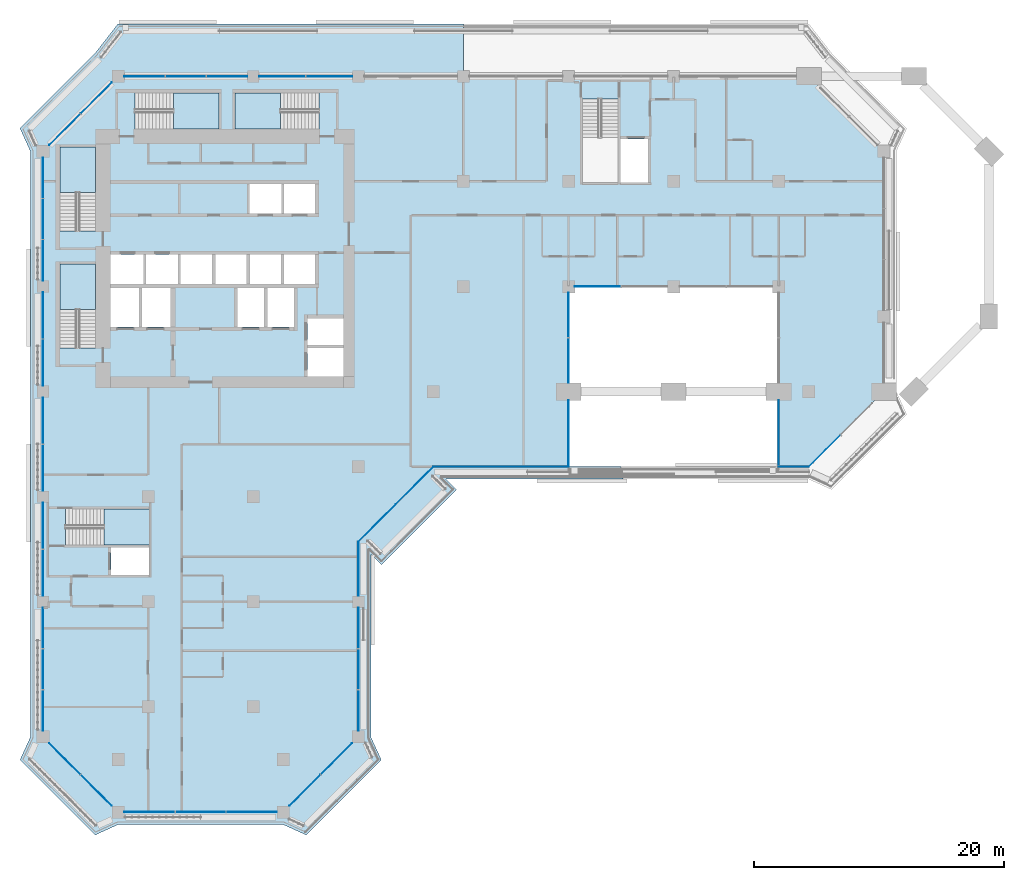
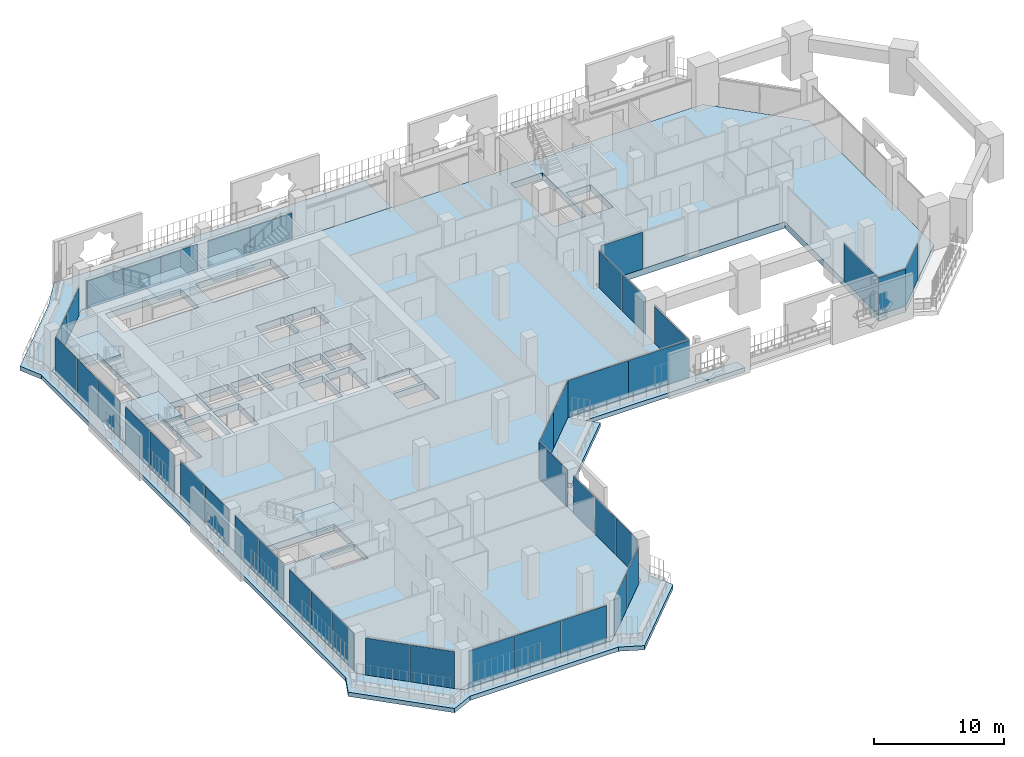
# One storey, part 9 of 23: 41 plates, 7 slabs, 19 elements without a shape of their own.
"""IFC4 building model written with IfcOpenShell, lengths in metres."""

import ifcopenshell
import ifcopenshell.guid

model = None  # the IFC model being written
_history = None  # IfcOwnerHistory: only IFC2X3 demands one
_inside = {}  # id of a spatial element -> (the spatial element, [elements in it])
_under = {}  # id of a project, library or spatial element -> (it, [spatial elements below it])
_declared = {}  # id of a project -> (the project, [libraries it declares])
_typed = {}  # id of a type object -> (the type object, [elements of that type])
_made_of = {}  # id of a material, layer set ... -> (it, [elements and type objects made of it])


def new_model(schema):
    """Start an empty IFC model of exactly this schema.

    Asked for "IFC4X3", IfcOpenShell would pick the latest addendum, in which some entities
    have other attributes; the version numbers below select the first issue.
    IFC2X3 requires an IfcOwnerHistory on every rooted entity: one is made here for all.
    """
    global model, _history
    if schema == "IFC4X3":
        model = ifcopenshell.file(schema_version=(4, 3, 0, 0))
    else:
        model = ifcopenshell.file(schema=schema)
    _inside.clear()
    _under.clear()
    _declared.clear()
    _typed.clear()
    _made_of.clear()
    _history = None
    if model.schema == "IFC2X3":
        org = make("IfcOrganization", Name="unknown")
        user = make(
            "IfcPersonAndOrganization",
            ThePerson=make("IfcPerson", FamilyName="unknown"),
            TheOrganization=org,
        )
        app = make(
            "IfcApplication",
            ApplicationDeveloper=org,
            Version="unknown",
            ApplicationFullName="unknown",
            ApplicationIdentifier="unknown",
        )
        _history = make(
            "IfcOwnerHistory",
            OwningUser=user,
            OwningApplication=app,
            ChangeAction="ADDED",
            CreationDate=0,
        )
    return model


def make(cls, **values):
    """One entity of the class cls with the attributes given. An attribute that is None is left unset."""
    return model.create_entity(
        cls, **{name: value for name, value in values.items() if value is not None}
    )


def rooted(cls, **values):
    """An entity with a GlobalId (a new one), such as an element, a storey or a relation."""
    return make(cls, GlobalId=ifcopenshell.guid.new(), OwnerHistory=_history, **values)


def si_unit(unit_type, name, prefix=None):
    """IfcSIUnit, for example si_unit("LENGTHUNIT", "METRE", prefix="MILLI")."""
    return make("IfcSIUnit", UnitType=unit_type, Prefix=prefix, Name=name)


def assignment(units):
    """IfcUnitAssignment: the units of a project."""
    return None if units is None else make("IfcUnitAssignment", Units=units)


def point(xyz):
    """IfcCartesianPoint."""
    return None if xyz is None else make("IfcCartesianPoint", Coordinates=xyz)


def direction(xyz):
    """IfcDirection."""
    return None if xyz is None else make("IfcDirection", DirectionRatios=xyz)


def frame(location, z_axis=None, x_axis=None):
    """IfcAxis2Placement3D, a coordinate frame: its origin and axes. An axis left out is left unset."""
    return make(
        "IfcAxis2Placement3D",
        Location=point(location),
        Axis=direction(z_axis),
        RefDirection=direction(x_axis),
    )


def frame_2d(location, x_axis=None):
    """IfcAxis2Placement2D, a coordinate frame in the plane: its origin and x axis."""
    return make(
        "IfcAxis2Placement2D", Location=point(location), RefDirection=direction(x_axis)
    )


def origin():
    """The frame at (0, 0, 0) with its axes left unset."""
    return frame((0.0, 0.0, 0.0))


def origin_2d():
    """The frame at (0, 0) in the plane with its x axis left unset."""
    return frame_2d((0.0, 0.0))


def place(relative_to, where):
    """IfcLocalPlacement: puts the frame where relative to a parent placement (None: the world)."""
    return make(
        "IfcLocalPlacement", PlacementRelTo=relative_to, RelativePlacement=where
    )


def context(
    kind, dimensions, precision=None, world=None, true_north=None, identifier=None
):
    """IfcGeometricRepresentationContext, for example the 3D "Model" context."""
    return make(
        "IfcGeometricRepresentationContext",
        ContextIdentifier=identifier,
        ContextType=kind,
        CoordinateSpaceDimension=dimensions,
        Precision=precision,
        WorldCoordinateSystem=world,
        TrueNorth=true_north,
    )


def subcontext(parent, identifier, kind, view, scale=None):
    """IfcGeometricRepresentationSubContext, for example "Body" below "Model"."""
    return make(
        "IfcGeometricRepresentationSubContext",
        ContextIdentifier=identifier,
        ContextType=kind,
        ParentContext=parent,
        TargetScale=scale,
        TargetView=view,
    )


def project(units=None, contexts=None):
    """IfcProject with its units and contexts."""
    return rooted(
        "IfcProject",
        Name="project",
        RepresentationContexts=contexts,
        UnitsInContext=assignment(units),
    )


def spatial(cls, under=None, at=None, **own):
    """A site, building, storey or space (cls), placed at a placement, below another one or the project."""
    s = rooted(cls, ObjectPlacement=at, **own)
    if under is not None:
        _under.setdefault(under.id(), (under, []))[1].append(s)
    return s


def polyline(points):
    """IfcPolyline through the points."""
    return make("IfcPolyline", Points=[point(p) for p in points])


def profile(cls, at=None, kind="AREA", **sizes):
    """A parametric profile (cls). Its sizes go by their IFC names, for example OverallWidth=200.0."""
    return make(cls, ProfileType=kind, Position=at, **sizes)


def rectangle(**sizes):
    """IfcRectangleProfileDef."""
    return profile("IfcRectangleProfileDef", **sizes)


def outline(outer, holes=None, kind="AREA"):
    """IfcArbitraryClosedProfileDef: a profile drawn as a closed curve; with holes, ...WithVoids."""
    if holes is None:
        return make("IfcArbitraryClosedProfileDef", ProfileType=kind, OuterCurve=outer)
    return make(
        "IfcArbitraryProfileDefWithVoids",
        ProfileType=kind,
        OuterCurve=outer,
        InnerCurves=holes,
    )


def extrude(swept, where, along, depth):
    """IfcExtrudedAreaSolid: the profile swept, set in the frame where, extruded along a direction by depth."""
    return make(
        "IfcExtrudedAreaSolid",
        SweptArea=swept,
        Position=where,
        ExtrudedDirection=direction(along),
        Depth=depth,
    )


def shape(context_of_items, identifier, shape_type, items):
    """IfcShapeRepresentation: the items that make up one representation, for example the "Body"."""
    return make(
        "IfcShapeRepresentation",
        ContextOfItems=context_of_items,
        RepresentationIdentifier=identifier,
        RepresentationType=shape_type,
        Items=items,
    )


def material(Name=None, Category=None):
    """IfcMaterial."""
    return make("IfcMaterial", Name=Name, Category=Category)


def layer(
    of_material, thickness, ventilated=None, Name=None, Category=None, Priority=None
):
    """IfcMaterialLayer: one layer of a wall or slab, of a material (None: an air gap)."""
    return make(
        "IfcMaterialLayer",
        Material=of_material,
        LayerThickness=thickness,
        IsVentilated=ventilated,
        Name=Name,
        Category=Category,
        Priority=Priority,
    )


def layer_set(layers, Name=None):
    """IfcMaterialLayerSet."""
    return make("IfcMaterialLayerSet", MaterialLayers=layers, LayerSetName=Name)


def made_of(thing, what):
    """Note that an element or type object is made of a material, layer set ...; save() writes the relation."""
    if what is not None:
        _made_of.setdefault(what.id(), (what, []))[1].append(thing)
    return thing


def type_object(cls, material=None, **own):
    """A type object (cls), such as IfcWallType, which elements share."""
    return made_of(rooted(cls, **own), material)


def element(
    cls,
    number,
    at=None,
    inside=None,
    cuts=None,
    type_object=None,
    material=None,
    context=None,
    identifier="Body",
    shape_type=None,
    held_by="IfcProductDefinitionShape",
    body=None,
    shapes=None,
    **own,
):
    """One element of the class cls, such as IfcWall. Its Tag is "e" and its number.

    at: its placement. inside: the storey or other place that contains it. cuts: it is an
    opening in that element (IfcRelVoidsElement). A single representation is given by context,
    identifier, shape_type and body (its items); several are given by shapes. held_by: the class
    of the entity that holds the representations. save() writes the other relations.
    """
    e = rooted(cls, Tag="e%d" % number, ObjectPlacement=at, **own)
    if body is not None:
        shapes = [shape(context, identifier, shape_type, body)]
    if shapes is not None:
        e.Representation = make(held_by, Representations=shapes)
    if inside is not None:
        _inside.setdefault(inside.id(), (inside, []))[1].append(e)
    if cuts is not None:
        rooted(
            "IfcRelVoidsElement", RelatingBuildingElement=cuts, RelatedOpeningElement=e
        )
    if type_object is not None:
        _typed.setdefault(type_object.id(), (type_object, []))[1].append(e)
    return made_of(e, material)


def aggregate(whole, parts):
    """IfcRelAggregates: a whole, such as a stair, and the parts it consists of."""
    return rooted("IfcRelAggregates", RelatingObject=whole, RelatedObjects=parts)


def save(model, path):
    """Write the relations noted so far, then the file.

    IfcRelAggregates (storeys below a building ...), IfcRelContainedInSpatialStructure (elements
    in a storey), IfcRelDefinesByType, IfcRelAssociatesMaterial and IfcRelDeclares: one each for
    every whole, place, type object, material and project.
    """
    for whole, parts in _under.values():
        aggregate(whole, parts)
    for where, things in _inside.values():
        rooted(
            "IfcRelContainedInSpatialStructure",
            RelatedElements=things,
            RelatingStructure=where,
        )
    for kind, things in _typed.values():
        rooted("IfcRelDefinesByType", RelatedObjects=things, RelatingType=kind)
    for what, things in _made_of.values():
        rooted("IfcRelAssociatesMaterial", RelatedObjects=things, RelatingMaterial=what)
    for by, libraries in _declared.values():
        rooted("IfcRelDeclares", RelatingContext=by, RelatedDefinitions=libraries)
    model.write(path)


model = new_model("IFC4")

# Units and contexts
model_context = context("Model", 3, precision=1e-05, world=origin(), true_north=direction((0.0, 1.0)))
body_context = subcontext(model_context, "Body", "Model", "MODEL_VIEW")
ifc_project = project(units=[si_unit("LENGTHUNIT", "METRE"), si_unit("AREAUNIT", "SQUARE_METRE"), si_unit("VOLUMEUNIT", "CUBIC_METRE"), si_unit("PLANEANGLEUNIT", "RADIAN"), si_unit("MASSUNIT", "GRAM", prefix="KILO")], contexts=[model_context])

# Site, building, storey
site_placement = place(None, origin())
site = spatial("IfcSite", under=ifc_project, at=site_placement, CompositionType="ELEMENT")
building_placement = place(site_placement, origin())
building = spatial("IfcBuilding", under=site, at=building_placement, Name="Kawkab Arch Medical Tower", CompositionType="ELEMENT")
storey_placement = place(building_placement, frame((0.0, 0.0, 166.800048828125)))
storey = spatial("IfcBuildingStorey", under=building, at=storey_placement, Name="L38", CompositionType="ELEMENT", Elevation=166.800048828125)

# Curtain wall, plates
ifc_material_1 = material(Name="Bronze anodised aluminium curtain wall frame", Category="aluminium")
ifc_layer_1 = layer(ifc_material_1, 0.159912109375)
ifc_layer_set_1 = layer_set([ifc_layer_1], Name="Bronze anodised aluminium curtain wall frame")
curtain_wall_type_1 = type_object("IfcCurtainWallType", Name="CW1 ward curtain wall", PredefinedType="NOTDEFINED", material=ifc_layer_set_1)
placement_1 = place(storey_placement, origin())
curtain_wall_1 = element("IfcCurtainWall", 1, at=placement_1, inside=storey, type_object=curtain_wall_type_1, Name="CW1 Ward curtain wall R01", PredefinedType="NOTDEFINED")
ifc_material_2 = material(Name="Tinted insulating glass, bronze low-e coating", Category="glass")
ifc_layer_2 = layer(ifc_material_2, 0.031982421875)
ifc_layer_set_2 = layer_set([ifc_layer_2], Name="Tinted insulating glass, bronze low-e coating")
plate_type_1 = type_object("IfcPlateType", Name="CW1 glazing unit 32", PredefinedType="CURTAIN_PANEL", material=ifc_layer_set_2)
plate_1_placement = place(storey_placement, frame((33.89990234375, -31.199951171875, 0.0), z_axis=(0.0, 0.0, 1.0), x_axis=(1.0, 0.0, 0.0)))
plate_1 = element("IfcPlate", 2, at=plate_1_placement, type_object=plate_type_1, Name="CW1 glazing unit 1.1", PredefinedType="CURTAIN_PANEL", context=body_context, shape_type="SweptSolid", body=[
    extrude(rectangle(XDim=5.39990234375, YDim=0.031982421875, at=origin_2d()), origin(), (0.0, 0.0, 1.0), 3.47998046875),
])
plate_2_placement = place(storey_placement, frame((39.300048828125, -31.199951171875, 0.0), z_axis=(0.0, 0.0, 1.0), x_axis=(1.0, 0.0, 0.0)))
plate_2 = element("IfcPlate", 3, at=plate_2_placement, type_object=plate_type_1, Name="CW1 glazing unit 2.1", PredefinedType="CURTAIN_PANEL", context=body_context, shape_type="SweptSolid", body=[
    extrude(rectangle(XDim=5.39990234375, YDim=0.031982421875, at=origin_2d()), origin(), (0.0, 0.0, 1.0), 3.47998046875),
])
aggregate(curtain_wall_1, [plate_1, plate_2])

# Curtain wall, plate
curtain_wall_2 = element("IfcCurtainWall", 4, at=placement_1, inside=storey, type_object=curtain_wall_type_1, Name="CW1 Ward curtain wall R05", PredefinedType="NOTDEFINED")
plate_3_placement = place(storey_placement, frame((60.0, -31.199951171875, 0.0), z_axis=(0.0, 0.0, 1.0), x_axis=(1.0, 0.0, 0.0)))
plate_3 = element("IfcPlate", 5, at=plate_3_placement, type_object=plate_type_1, Name="CW1 glazing unit 1.1", PredefinedType="CURTAIN_PANEL", context=body_context, shape_type="SweptSolid", body=[
    extrude(rectangle(XDim=2.39990234375, YDim=0.031982421875, at=origin_2d()), origin(), (0.0, 0.0, 1.0), 3.47998046875),
])
aggregate(curtain_wall_2, [plate_3])

# Curtain wall, plates
curtain_wall_3 = element("IfcCurtainWall", 6, at=placement_1, inside=storey, type_object=curtain_wall_type_1, Name="CW1 Ward curtain wall R09", PredefinedType="NOTDEFINED")
plate_4_placement = place(storey_placement, frame((22.87744140625, 0.0, 0.0), z_axis=(0.0, 0.0, 1.0), x_axis=(-1.0, 0.0, 0.0)))
plate_4 = element("IfcPlate", 7, at=plate_4_placement, type_object=plate_type_1, Name="CW1 glazing unit 5.1", PredefinedType="CURTAIN_PANEL", context=body_context, shape_type="SweptSolid", body=[
    extrude(rectangle(XDim=3.695068359375, YDim=0.031982421875, at=origin_2d()), origin(), (0.0, 0.0, 1.0), 2.580078125),
])
plate_5_placement = place(storey_placement, frame((19.12255859375, 0.0, 0.0), z_axis=(0.0, 0.0, 1.0), x_axis=(-1.0, 0.0, 0.0)))
plate_5 = element("IfcPlate", 8, at=plate_5_placement, type_object=plate_type_1, Name="CW1 glazing unit 5.2", PredefinedType="CURTAIN_PANEL", context=body_context, shape_type="SweptSolid", body=[
    extrude(rectangle(XDim=3.695068359375, YDim=0.031982421875, at=origin_2d()), origin(), (0.0, 0.0, 1.0), 2.580078125),
])
plate_6_placement = place(storey_placement, frame((14.702392578125, 0.0, 0.0), z_axis=(0.0, 0.0, 1.0), x_axis=(-1.0, 0.0, 0.0)))
plate_6 = element("IfcPlate", 9, at=plate_6_placement, type_object=plate_type_1, Name="CW1 glazing unit 6.1", PredefinedType="CURTAIN_PANEL", context=body_context, shape_type="SweptSolid", body=[
    extrude(rectangle(XDim=3.2451171875, YDim=0.031982421875, at=origin_2d()), origin(), (0.0, 0.0, 1.0), 2.580078125),
])
plate_7_placement = place(storey_placement, frame((11.41259765625, 0.0, 0.0), z_axis=(0.0, 0.0, 1.0), x_axis=(-1.0, 0.0, 0.0)))
plate_7 = element("IfcPlate", 10, at=plate_7_placement, type_object=plate_type_1, Name="CW1 glazing unit 6.2", PredefinedType="CURTAIN_PANEL", context=body_context, shape_type="SweptSolid", body=[
    extrude(rectangle(XDim=3.215087890625, YDim=0.031982421875, at=origin_2d()), origin(), (0.0, 0.0, 1.0), 2.580078125),
])
plate_8_placement = place(storey_placement, frame((8.12255859375, 0.0, 0.0), z_axis=(0.0, 0.0, 1.0), x_axis=(-1.0, 0.0, 0.0)))
plate_8 = element("IfcPlate", 11, at=plate_8_placement, type_object=plate_type_1, Name="CW1 glazing unit 6.3", PredefinedType="CURTAIN_PANEL", context=body_context, shape_type="SweptSolid", body=[
    extrude(rectangle(XDim=3.2451171875, YDim=0.031982421875, at=origin_2d()), origin(), (0.0, 0.0, 1.0), 2.580078125),
])
aggregate(curtain_wall_3, [plate_4, plate_5, plate_6, plate_7, plate_8])

curtain_wall_4 = element("IfcCurtainWall", 12, at=placement_1, inside=storey, type_object=curtain_wall_type_1, Name="CW1 Ward curtain wall R11", PredefinedType="NOTDEFINED")
plate_9_placement = place(storey_placement, frame((0.0, -8.12255859375, 0.0), z_axis=(0.0, 0.0, 1.0), x_axis=(0.0, -1.0, 0.0)))
plate_9 = element("IfcPlate", 13, at=plate_9_placement, type_object=plate_type_1, Name="CW1 glazing unit 1.1", PredefinedType="CURTAIN_PANEL", context=body_context, shape_type="SweptSolid", body=[
    extrude(rectangle(XDim=3.2451171875, YDim=0.031982421875, at=origin_2d()), origin(), (0.0, 0.0, 1.0), 3.47998046875),
])
plate_10_placement = place(storey_placement, frame((0.0, -11.41259765625, 0.0), z_axis=(0.0, 0.0, 1.0), x_axis=(0.0, -1.0, 0.0)))
plate_10 = element("IfcPlate", 14, at=plate_10_placement, type_object=plate_type_1, Name="CW1 glazing unit 1.2", PredefinedType="CURTAIN_PANEL", context=body_context, shape_type="SweptSolid", body=[
    extrude(rectangle(XDim=3.215087890625, YDim=0.031982421875, at=origin_2d()), origin(), (0.0, 0.0, 1.0), 3.47998046875),
])
plate_11_placement = place(storey_placement, frame((0.0, -14.702392578125, 0.0), z_axis=(0.0, 0.0, 1.0), x_axis=(0.0, -1.0, 0.0)))
plate_11 = element("IfcPlate", 15, at=plate_11_placement, type_object=plate_type_1, Name="CW1 glazing unit 1.3", PredefinedType="CURTAIN_PANEL", context=body_context, shape_type="SweptSolid", body=[
    extrude(rectangle(XDim=3.2451171875, YDim=0.031982421875, at=origin_2d()), origin(), (0.0, 0.0, 1.0), 3.47998046875),
])
plate_12_placement = place(storey_placement, frame((0.0, -19.12255859375, 0.0), z_axis=(0.0, 0.0, 1.0), x_axis=(0.0, -1.0, 0.0)))
plate_12 = element("IfcPlate", 16, at=plate_12_placement, type_object=plate_type_1, Name="CW1 glazing unit 2.1", PredefinedType="CURTAIN_PANEL", context=body_context, shape_type="SweptSolid", body=[
    extrude(rectangle(XDim=3.695068359375, YDim=0.031982421875, at=origin_2d()), origin(), (0.0, 0.0, 1.0), 3.47998046875),
])
plate_13_placement = place(storey_placement, frame((0.0, -22.87744140625, 0.0), z_axis=(0.0, 0.0, 1.0), x_axis=(0.0, -1.0, 0.0)))
plate_13 = element("IfcPlate", 17, at=plate_13_placement, type_object=plate_type_1, Name="CW1 glazing unit 2.2", PredefinedType="CURTAIN_PANEL", context=body_context, shape_type="SweptSolid", body=[
    extrude(rectangle(XDim=3.695068359375, YDim=0.031982421875, at=origin_2d()), origin(), (0.0, 0.0, 1.0), 3.47998046875),
])
plate_14_placement = place(storey_placement, frame((0.0, -27.5224609375, 0.0), z_axis=(0.0, 0.0, 1.0), x_axis=(0.0, -1.0, 0.0)))
plate_14 = element("IfcPlate", 18, at=plate_14_placement, type_object=plate_type_1, Name="CW1 glazing unit 3.1", PredefinedType="CURTAIN_PANEL", context=body_context, shape_type="SweptSolid", body=[
    extrude(rectangle(XDim=3.695068359375, YDim=0.031982421875, at=origin_2d()), origin(), (0.0, 0.0, 1.0), 3.47998046875),
])
plate_15_placement = place(storey_placement, frame((0.0, -31.277587890625, 0.0), z_axis=(0.0, 0.0, 1.0), x_axis=(0.0, -1.0, 0.0)))
plate_15 = element("IfcPlate", 19, at=plate_15_placement, type_object=plate_type_1, Name="CW1 glazing unit 3.2", PredefinedType="CURTAIN_PANEL", context=body_context, shape_type="SweptSolid", body=[
    extrude(rectangle(XDim=3.695068359375, YDim=0.031982421875, at=origin_2d()), origin(), (0.0, 0.0, 1.0), 3.47998046875),
])
plate_16_placement = place(storey_placement, frame((0.0, -35.922607421875, 0.0), z_axis=(0.0, 0.0, 1.0), x_axis=(0.0, -1.0, 0.0)))
plate_16 = element("IfcPlate", 20, at=plate_16_placement, type_object=plate_type_1, Name="CW1 glazing unit 4.1", PredefinedType="CURTAIN_PANEL", context=body_context, shape_type="SweptSolid", body=[
    extrude(rectangle(XDim=3.695068359375, YDim=0.031982421875, at=origin_2d()), origin(), (0.0, 0.0, 1.0), 3.47998046875),
])
plate_17_placement = place(storey_placement, frame((0.0, -39.677490234375, 0.0), z_axis=(0.0, 0.0, 1.0), x_axis=(0.0, -1.0, 0.0)))
plate_17 = element("IfcPlate", 21, at=plate_17_placement, type_object=plate_type_1, Name="CW1 glazing unit 4.2", PredefinedType="CURTAIN_PANEL", context=body_context, shape_type="SweptSolid", body=[
    extrude(rectangle(XDim=3.695068359375, YDim=0.031982421875, at=origin_2d()), origin(), (0.0, 0.0, 1.0), 3.47998046875),
])
plate_18_placement = place(storey_placement, frame((0.0, -44.097412109375, 0.0), z_axis=(0.0, 0.0, 1.0), x_axis=(0.0, -1.0, 0.0)))
plate_18 = element("IfcPlate", 22, at=plate_18_placement, type_object=plate_type_1, Name="CW1 glazing unit 5.1", PredefinedType="CURTAIN_PANEL", context=body_context, shape_type="SweptSolid", body=[
    extrude(rectangle(XDim=3.2451171875, YDim=0.031982421875, at=origin_2d()), origin(), (0.0, 0.0, 1.0), 3.47998046875),
])
plate_19_placement = place(storey_placement, frame((0.0, -47.387451171875, 0.0), z_axis=(0.0, 0.0, 1.0), x_axis=(0.0, -1.0, 0.0)))
plate_19 = element("IfcPlate", 23, at=plate_19_placement, type_object=plate_type_1, Name="CW1 glazing unit 5.2", PredefinedType="CURTAIN_PANEL", context=body_context, shape_type="SweptSolid", body=[
    extrude(rectangle(XDim=3.215087890625, YDim=0.031982421875, at=origin_2d()), origin(), (0.0, 0.0, 1.0), 3.47998046875),
])
plate_20_placement = place(storey_placement, frame((0.0, -50.677490234375, 0.0), z_axis=(0.0, 0.0, 1.0), x_axis=(0.0, -1.0, 0.0)))
plate_20 = element("IfcPlate", 24, at=plate_20_placement, type_object=plate_type_1, Name="CW1 glazing unit 5.3", PredefinedType="CURTAIN_PANEL", context=body_context, shape_type="SweptSolid", body=[
    extrude(rectangle(XDim=3.2451171875, YDim=0.031982421875, at=origin_2d()), origin(), (0.0, 0.0, 1.0), 3.47998046875),
])
aggregate(curtain_wall_4, [plate_9, plate_10, plate_11, plate_12, plate_13, plate_14, plate_15, plate_16, plate_17, plate_18, plate_19, plate_20])

curtain_wall_5 = element("IfcCurtainWall", 25, at=placement_1, inside=storey, type_object=curtain_wall_type_1, Name="CW1 Ward curtain wall R13", PredefinedType="NOTDEFINED")
plate_21_placement = place(storey_placement, frame((8.518310546875, -58.800048828125, 0.0), z_axis=(0.0, 0.0, 1.0), x_axis=(1.0, 0.0, 0.0)))
plate_21 = element("IfcPlate", 26, at=plate_21_placement, type_object=plate_type_1, Name="CW1 glazing unit 1.1", PredefinedType="CURTAIN_PANEL", context=body_context, shape_type="SweptSolid", body=[
    extrude(rectangle(XDim=4.03662109375, YDim=0.031982421875, at=origin_2d()), origin(), (0.0, 0.0, 1.0), 3.47998046875),
])
plate_22_placement = place(storey_placement, frame((12.60009765625, -58.800048828125, 0.0), z_axis=(0.0, 0.0, 1.0), x_axis=(1.0, 0.0, 0.0)))
plate_22 = element("IfcPlate", 27, at=plate_22_placement, type_object=plate_type_1, Name="CW1 glazing unit 1.2", PredefinedType="CURTAIN_PANEL", context=body_context, shape_type="SweptSolid", body=[
    extrude(rectangle(XDim=4.006591796875, YDim=0.031982421875, at=origin_2d()), origin(), (0.0, 0.0, 1.0), 3.47998046875),
])
plate_23_placement = place(storey_placement, frame((16.681640625, -58.800048828125, 0.0), z_axis=(0.0, 0.0, 1.0), x_axis=(1.0, 0.0, 0.0)))
plate_23 = element("IfcPlate", 28, at=plate_23_placement, type_object=plate_type_1, Name="CW1 glazing unit 1.3", PredefinedType="CURTAIN_PANEL", context=body_context, shape_type="SweptSolid", body=[
    extrude(rectangle(XDim=4.03662109375, YDim=0.031982421875, at=origin_2d()), origin(), (0.0, 0.0, 1.0), 3.47998046875),
])
aggregate(curtain_wall_5, [plate_21, plate_22, plate_23])

curtain_wall_6 = element("IfcCurtainWall", 29, at=placement_1, inside=storey, type_object=curtain_wall_type_1, Name="CW1 Ward curtain wall R15", PredefinedType="NOTDEFINED")
plate_24_placement = place(storey_placement, frame((25.199951171875, -50.677490234375, 0.0), z_axis=(0.0, 0.0, 1.0), x_axis=(0.0, 1.0, 0.0)))
plate_24 = element("IfcPlate", 30, at=plate_24_placement, type_object=plate_type_1, Name="CW1 glazing unit 1.1", PredefinedType="CURTAIN_PANEL", context=body_context, shape_type="SweptSolid", body=[
    extrude(rectangle(XDim=3.2451171875, YDim=0.031982421875, at=origin_2d()), origin(), (0.0, 0.0, 1.0), 3.47998046875),
])
plate_25_placement = place(storey_placement, frame((25.199951171875, -47.387451171875, 0.0), z_axis=(0.0, 0.0, 1.0), x_axis=(0.0, 1.0, 0.0)))
plate_25 = element("IfcPlate", 31, at=plate_25_placement, type_object=plate_type_1, Name="CW1 glazing unit 1.2", PredefinedType="CURTAIN_PANEL", context=body_context, shape_type="SweptSolid", body=[
    extrude(rectangle(XDim=3.215087890625, YDim=0.031982421875, at=origin_2d()), origin(), (0.0, 0.0, 1.0), 3.47998046875),
])
plate_26_placement = place(storey_placement, frame((25.199951171875, -44.097412109375, 0.0), z_axis=(0.0, 0.0, 1.0), x_axis=(0.0, 1.0, 0.0)))
plate_26 = element("IfcPlate", 32, at=plate_26_placement, type_object=plate_type_1, Name="CW1 glazing unit 1.3", PredefinedType="CURTAIN_PANEL", context=body_context, shape_type="SweptSolid", body=[
    extrude(rectangle(XDim=3.2451171875, YDim=0.031982421875, at=origin_2d()), origin(), (0.0, 0.0, 1.0), 3.47998046875),
])
plate_27_placement = place(storey_placement, frame((25.199951171875, -39.362548828125, 0.0), z_axis=(0.0, 0.0, 1.0), x_axis=(0.0, 1.0, 0.0)))
plate_27 = element("IfcPlate", 33, at=plate_27_placement, type_object=plate_type_1, Name="CW1 glazing unit 2.1", PredefinedType="CURTAIN_PANEL", context=body_context, shape_type="SweptSolid", body=[
    extrude(rectangle(XDim=4.324951171875, YDim=0.031982421875, at=origin_2d()), origin(), (0.0, 0.0, 1.0), 3.47998046875),
])
aggregate(curtain_wall_6, [plate_24, plate_25, plate_26, plate_27])

# Curtain wall, plate
ifc_material_3 = material(Name="Bronze anodised aluminium curtain wall frame", Category="aluminium")
ifc_layer_3 = layer(ifc_material_3, 0.159912109375)
ifc_layer_set_3 = layer_set([ifc_layer_3], Name="Bronze anodised aluminium curtain wall frame")
curtain_wall_type_2 = type_object("IfcCurtainWallType", Name="CW2 chamfer curtain wall", PredefinedType="NOTDEFINED", material=ifc_layer_set_3)
curtain_wall_7 = element("IfcCurtainWall", 34, at=placement_1, inside=storey, type_object=curtain_wall_type_2, Name="CW2 Chamfer curtain wall R06", PredefinedType="NOTDEFINED")
ifc_material_4 = material(Name="Tinted insulating glass, bronze low-e coating", Category="glass")
ifc_layer_4 = layer(ifc_material_4, 0.031982421875)
ifc_layer_set_4 = layer_set([ifc_layer_4], Name="Tinted insulating glass, bronze low-e coating")
plate_type_2 = type_object("IfcPlateType", Name="CW2 glazing unit 32", PredefinedType="CURTAIN_PANEL", material=ifc_layer_set_4)
plate_28_placement = place(storey_placement, frame((62.456787109375, -29.943115234375, 0.0), z_axis=(0.0, 0.0, 1.0), x_axis=(0.707106781187, 0.707106781187, 0.0)))
plate_28 = element("IfcPlate", 35, at=plate_28_placement, type_object=plate_type_2, Name="CW2 glazing unit 1.1", PredefinedType="CURTAIN_PANEL", context=body_context, shape_type="SweptSolid", body=[
    extrude(rectangle(XDim=3.5546875, YDim=0.031982421875, at=origin_2d()), origin(), (0.0, 0.0, 1.0), 3.4599609375),
])
aggregate(curtain_wall_7, [plate_28])

# Curtain wall, plates
curtain_wall_8 = element("IfcCurtainWall", 36, at=placement_1, inside=storey, type_object=curtain_wall_type_2, Name="CW2 Chamfer curtain wall R10", PredefinedType="NOTDEFINED")
plate_29_placement = place(storey_placement, frame((4.260498046875, -1.739501953125, 0.0), z_axis=(0.0, 0.0, 1.0), x_axis=(-0.707106781187, -0.707106781187, 0.0)))
plate_29 = element("IfcPlate", 37, at=plate_29_placement, type_object=plate_type_2, Name="CW2 glazing unit 1.1", PredefinedType="CURTAIN_PANEL", context=body_context, shape_type="SweptSolid", body=[
    extrude(rectangle(XDim=3.505615234375, YDim=0.031982421875, at=origin_2d()), origin(), (0.0, 0.0, 1.0), 2.56005859375),
])
plate_30_placement = place(storey_placement, frame((1.739501953125, -4.260498046875, 0.0), z_axis=(0.0, 0.0, 1.0), x_axis=(-0.707106781187, -0.707106781187, 0.0)))
plate_30 = element("IfcPlate", 38, at=plate_30_placement, type_object=plate_type_2, Name="CW2 glazing unit 1.2", PredefinedType="CURTAIN_PANEL", context=body_context, shape_type="SweptSolid", body=[
    extrude(rectangle(XDim=3.505615234375, YDim=0.031982421875, at=origin_2d()), origin(), (0.0, 0.0, 1.0), 2.56005859375),
])
aggregate(curtain_wall_8, [plate_29, plate_30])

curtain_wall_9 = element("IfcCurtainWall", 39, at=placement_1, inside=storey, type_object=curtain_wall_type_2, Name="CW2 Chamfer curtain wall R12", PredefinedType="NOTDEFINED")
plate_31_placement = place(storey_placement, frame((1.739501953125, -54.539306640625, 0.0), z_axis=(0.0, 0.0, 1.0), x_axis=(0.707106781187, -0.707106781187, 0.0)))
plate_31 = element("IfcPlate", 40, at=plate_31_placement, type_object=plate_type_2, Name="CW2 glazing unit 1.1", PredefinedType="CURTAIN_PANEL", context=body_context, shape_type="SweptSolid", body=[
    extrude(rectangle(XDim=3.505615234375, YDim=0.031982421875, at=origin_2d()), origin(), (0.0, 0.0, 1.0), 3.4599609375),
])
plate_32_placement = place(storey_placement, frame((4.260498046875, -57.060546875, 0.0), z_axis=(0.0, 0.0, 1.0), x_axis=(0.707106781187, -0.707106781187, 0.0)))
plate_32 = element("IfcPlate", 41, at=plate_32_placement, type_object=plate_type_2, Name="CW2 glazing unit 1.2", PredefinedType="CURTAIN_PANEL", context=body_context, shape_type="SweptSolid", body=[
    extrude(rectangle(XDim=3.505615234375, YDim=0.031982421875, at=origin_2d()), origin(), (0.0, 0.0, 1.0), 3.4599609375),
])
aggregate(curtain_wall_9, [plate_31, plate_32])

curtain_wall_10 = element("IfcCurtainWall", 42, at=placement_1, inside=storey, type_object=curtain_wall_type_2, Name="CW2 Chamfer curtain wall R14", PredefinedType="NOTDEFINED")
plate_33_placement = place(storey_placement, frame((20.939453125, -57.060546875, 0.0), z_axis=(0.0, 0.0, 1.0), x_axis=(0.707106781187, 0.707106781187, 0.0)))
plate_33 = element("IfcPlate", 43, at=plate_33_placement, type_object=plate_type_2, Name="CW2 glazing unit 1.1", PredefinedType="CURTAIN_PANEL", context=body_context, shape_type="SweptSolid", body=[
    extrude(rectangle(XDim=3.505615234375, YDim=0.031982421875, at=origin_2d()), origin(), (0.0, 0.0, 1.0), 3.4599609375),
])
plate_34_placement = place(storey_placement, frame((23.460693359375, -54.539306640625, 0.0), z_axis=(0.0, 0.0, 1.0), x_axis=(0.707106781187, 0.707106781187, 0.0)))
plate_34 = element("IfcPlate", 44, at=plate_34_placement, type_object=plate_type_2, Name="CW2 glazing unit 1.2", PredefinedType="CURTAIN_PANEL", context=body_context, shape_type="SweptSolid", body=[
    extrude(rectangle(XDim=3.505615234375, YDim=0.031982421875, at=origin_2d()), origin(), (0.0, 0.0, 1.0), 3.4599609375),
])
aggregate(curtain_wall_10, [plate_33, plate_34])

curtain_wall_11 = element("IfcCurtainWall", 45, at=placement_1, inside=storey, type_object=curtain_wall_type_2, Name="CW2 Chamfer curtain wall R16", PredefinedType="NOTDEFINED")
plate_35_placement = place(storey_placement, frame((26.699951171875, -35.699951171875, 0.0), z_axis=(0.0, 0.0, 1.0), x_axis=(0.707106781187, 0.707106781187, 0.0)))
plate_35 = element("IfcPlate", 46, at=plate_35_placement, type_object=plate_type_2, Name="CW2 glazing unit 1.1", PredefinedType="CURTAIN_PANEL", context=body_context, shape_type="SweptSolid", body=[
    extrude(rectangle(XDim=4.24267578125, YDim=0.031982421875, at=origin_2d()), origin(), (0.0, 0.0, 1.0), 3.4599609375),
])
plate_36_placement = place(storey_placement, frame((29.699951171875, -32.699951171875, 0.0), z_axis=(0.0, 0.0, 1.0), x_axis=(0.707106781187, 0.707106781187, 0.0)))
plate_36 = element("IfcPlate", 47, at=plate_36_placement, type_object=plate_type_2, Name="CW2 glazing unit 2.1", PredefinedType="CURTAIN_PANEL", context=body_context, shape_type="SweptSolid", body=[
    extrude(rectangle(XDim=4.24267578125, YDim=0.031982421875, at=origin_2d()), origin(), (0.0, 0.0, 1.0), 3.4599609375),
])
aggregate(curtain_wall_11, [plate_35, plate_36])

ifc_material_5 = material(Name="Bronze anodised aluminium curtain wall frame", Category="aluminium")
ifc_layer_5 = layer(ifc_material_5, 0.159912109375)
ifc_layer_set_5 = layer_set([ifc_layer_5], Name="Bronze anodised aluminium curtain wall frame")
curtain_wall_type_3 = type_object("IfcCurtainWallType", Name="CW3 sky garden curtain wall", PredefinedType="NOTDEFINED", material=ifc_layer_set_5)
curtain_wall_12 = element("IfcCurtainWall", 48, at=placement_1, inside=storey, type_object=curtain_wall_type_3, Name="CW3 Sky garden curtain wall R02", PredefinedType="NOTDEFINED")
ifc_material_6 = material(Name="Tinted laminated insulating glass, grey-green", Category="glass")
ifc_layer_6 = layer(ifc_material_6, 0.035888671875)
ifc_layer_set_6 = layer_set([ifc_layer_6], Name="Tinted laminated insulating glass, grey-green")
plate_type_3 = type_object("IfcPlateType", Name="CW3 glazing unit 36", PredefinedType="CURTAIN_PANEL", material=ifc_layer_set_6)
plate_37_placement = place(storey_placement, frame((42.0, -28.550048828125, 0.0), z_axis=(0.0, 0.0, 1.0), x_axis=(0.0, 1.0, 0.0)))
plate_37 = element("IfcPlate", 49, at=plate_37_placement, type_object=plate_type_3, Name="CW3 glazing unit 1.1", PredefinedType="CURTAIN_PANEL", context=body_context, shape_type="SweptSolid", body=[
    extrude(rectangle(XDim=5.300048828125, YDim=0.035888671875, at=origin_2d()), origin(), (0.0, 0.0, 1.0), 3.4599609375),
])
plate_38_placement = place(storey_placement, frame((42.0, -22.717529296875, 0.0), z_axis=(0.0, 0.0, 1.0), x_axis=(0.0, 1.0, 0.0)))
plate_38 = element("IfcPlate", 50, at=plate_38_placement, type_object=plate_type_3, Name="CW3 glazing unit 2.1", PredefinedType="CURTAIN_PANEL", context=body_context, shape_type="SweptSolid", body=[
    extrude(rectangle(XDim=3.56494140625, YDim=0.035888671875, at=origin_2d()), origin(), (0.0, 0.0, 1.0), 3.4599609375),
])
plate_39_placement = place(storey_placement, frame((42.0, -19.08251953125, 0.0), z_axis=(0.0, 0.0, 1.0), x_axis=(0.0, 1.0, 0.0)))
plate_39 = element("IfcPlate", 51, at=plate_39_placement, type_object=plate_type_3, Name="CW3 glazing unit 2.2", PredefinedType="CURTAIN_PANEL", context=body_context, shape_type="SweptSolid", body=[
    extrude(rectangle(XDim=3.56494140625, YDim=0.035888671875, at=origin_2d()), origin(), (0.0, 0.0, 1.0), 3.4599609375),
])
aggregate(curtain_wall_12, [plate_37, plate_38, plate_39])

# Curtain wall, plate
curtain_wall_13 = element("IfcCurtainWall", 52, at=placement_1, inside=storey, type_object=curtain_wall_type_3, Name="CW3 Sky garden curtain wall R03", PredefinedType="NOTDEFINED")
plate_40_placement = place(storey_placement, frame((44.33251953125, -16.800048828125, 0.0), z_axis=(0.0, 0.0, 1.0), x_axis=(1.0, 0.0, 0.0)))
plate_40 = element("IfcPlate", 53, at=plate_40_placement, type_object=plate_type_3, Name="CW3 glazing unit 1.1", PredefinedType="CURTAIN_PANEL", context=body_context, shape_type="SweptSolid", body=[
    extrude(rectangle(XDim=3.6650390625, YDim=0.035888671875, at=origin_2d()), origin(), (0.0, 0.0, 1.0), 3.4599609375),
])
aggregate(curtain_wall_13, [plate_40])

curtain_wall_14 = element("IfcCurtainWall", 54, at=placement_1, inside=storey, type_object=curtain_wall_type_3, Name="CW3 Sky garden curtain wall R04", PredefinedType="NOTDEFINED")
plate_41_placement = place(storey_placement, frame((58.800048828125, -28.550048828125, 0.0), z_axis=(0.0, 0.0, 1.0), x_axis=(0.0, -1.0, 0.0)))
plate_41 = element("IfcPlate", 55, at=plate_41_placement, type_object=plate_type_3, Name="CW3 glazing unit 2.1", PredefinedType="CURTAIN_PANEL", context=body_context, shape_type="SweptSolid", body=[
    extrude(rectangle(XDim=5.300048828125, YDim=0.035888671875, at=origin_2d()), origin(), (0.0, 0.0, 1.0), 3.4599609375),
])
aggregate(curtain_wall_14, [plate_41])

# Stair, slab
ifc_material_7 = material(Name="Concrete C40/50", Category="concrete")
stair_type = type_object("IfcStairType", Name="Exit stair 1350", PredefinedType="HALF_TURN_STAIR", material=ifc_material_7)
stair_1 = element("IfcStair", 56, at=placement_1, inside=storey, type_object=stair_type, Name="L38 Exit stair ST1", PredefinedType="HALF_TURN_STAIR")
ifc_material_8 = material(Name="Concrete C40/50", Category="concrete")
ifc_layer_7 = layer(ifc_material_8, 0.199951171875)
ifc_layer_set_7 = layer_set([ifc_layer_7], Name="Concrete C40/50")
slab_type_1 = type_object("IfcSlabType", Name="Exit stair landing 200", PredefinedType="LANDING", material=ifc_layer_set_7)
placement_2 = place(storey_placement, frame((0.0, 0.0, 1.89990234375)))
slab_1 = element("IfcSlab", 57, at=placement_2, type_object=slab_type_1, Name="ST1 landing 1", PredefinedType="LANDING", context=body_context, shape_type="SweptSolid", body=[
    extrude(outline(polyline([(4.199951171875, -9.27001953125), (4.199951171875, -5.64990234375), (1.35009765625, -5.64990234375), (1.35009765625, -9.27001953125), (4.199951171875, -9.27001953125)])), origin(), (0.0, 0.0, 1.0), 0.199951171875),
])
aggregate(stair_1, [slab_1])

stair_2 = element("IfcStair", 58, at=placement_1, inside=storey, type_object=stair_type, Name="L38 Exit stair ST2", PredefinedType="HALF_TURN_STAIR")
slab_2 = element("IfcSlab", 59, at=placement_2, type_object=slab_type_1, Name="ST2 landing 1", PredefinedType="LANDING", context=body_context, shape_type="SweptSolid", body=[
    extrude(outline(polyline([(4.199951171875, -18.6201171875), (4.199951171875, -15.0), (1.35009765625, -15.0), (1.35009765625, -18.6201171875), (4.199951171875, -18.6201171875)])), origin(), (0.0, 0.0, 1.0), 0.199951171875),
])
aggregate(stair_2, [slab_2])

stair_3 = element("IfcStair", 60, at=placement_1, inside=storey, type_object=stair_type, Name="L38 Exit stair ST3", PredefinedType="HALF_TURN_STAIR")
slab_3 = element("IfcSlab", 61, at=placement_2, type_object=slab_type_1, Name="ST3 landing 1", PredefinedType="LANDING", context=body_context, shape_type="SweptSolid", body=[
    extrude(outline(polyline([(10.429931640625, -4.199951171875), (14.050048828125, -4.199951171875), (14.050048828125, -1.35009765625), (10.429931640625, -1.35009765625), (10.429931640625, -4.199951171875)])), origin(), (0.0, 0.0, 1.0), 0.199951171875),
])
aggregate(stair_3, [slab_3])

stair_4 = element("IfcStair", 62, at=placement_1, inside=storey, type_object=stair_type, Name="L38 Exit stair ST4", PredefinedType="HALF_TURN_STAIR")
slab_4 = element("IfcSlab", 63, at=placement_2, type_object=slab_type_1, Name="ST4 landing 1", PredefinedType="LANDING", context=body_context, shape_type="SweptSolid", body=[
    extrude(outline(polyline([(18.969970703125, -1.35009765625), (15.35009765625, -1.35009765625), (15.35009765625, -4.199951171875), (18.969970703125, -4.199951171875), (18.969970703125, -1.35009765625)])), origin(), (0.0, 0.0, 1.0), 0.199951171875),
])
aggregate(stair_4, [slab_4])

stair_5 = element("IfcStair", 64, at=placement_1, inside=storey, type_object=stair_type, Name="L38 Exit stair ST6", PredefinedType="HALF_TURN_STAIR")
slab_5 = element("IfcSlab", 65, at=placement_2, type_object=slab_type_1, Name="ST6 landing 1", PredefinedType="LANDING", context=body_context, shape_type="SweptSolid", body=[
    extrude(outline(polyline([(4.8798828125, -37.449951171875), (8.5, -37.449951171875), (8.5, -34.60009765625), (4.8798828125, -34.60009765625), (4.8798828125, -37.449951171875)])), origin(), (0.0, 0.0, 1.0), 0.199951171875),
])
aggregate(stair_5, [slab_5])

# Slabs
ifc_material_9 = material(Name="Concrete C45/55", Category="concrete")
ifc_layer_8 = layer(ifc_material_9, 0.60009765625)
ifc_layer_set_8 = layer_set([ifc_layer_8], Name="Concrete C45/55")
slab_type_2 = type_object("IfcSlabType", Name="Flat plate 600 C45/55", PredefinedType="FLOOR", material=ifc_layer_set_8)
slab_6_placement = place(storey_placement, frame((0.0, 0.0, -0.60009765625)))
element("IfcSlab", 66, at=slab_6_placement, inside=storey, type_object=slab_type_2, Name="Floor slab L38", PredefinedType="FLOOR", context=body_context, shape_type="SweptSolid", body=[
    extrude(outline(polyline([(25.199951171875, -37.199951171875), (25.199951171875, -52.800048828125), (19.199951171875, -58.800048828125), (6.0, -58.800048828125), (0.0, -52.800048828125), (0.0, -6.0), (6.0, 0.0), (61.199951171875, 0.0), (67.199951171875, -6.0), (67.199951171875, -25.199951171875), (61.199951171875, -31.199951171875), (58.800048828125, -31.199951171875), (58.800048828125, -16.800048828125), (42.0, -16.800048828125), (42.0, -31.199951171875), (31.199951171875, -31.199951171875), (25.199951171875, -37.199951171875)]), holes=[polyline([(5.425048828125, -37.64990234375), (5.425048828125, -39.85009765625), (8.5, -39.85009765625), (8.5, -37.64990234375), (5.425048828125, -37.64990234375)]), polyline([(8.5, -37.449951171875), (8.5, -34.60009765625), (1.800048828125, -34.60009765625), (1.800048828125, -37.449951171875), (8.5, -37.449951171875)]), polyline([(5.39990234375, -20.050048828125), (7.675048828125, -20.050048828125), (7.675048828125, -16.89990234375), (5.39990234375, -16.89990234375), (5.39990234375, -20.050048828125)]), polyline([(10.199951171875, -20.050048828125), (10.199951171875, -16.89990234375), (7.925048828125, -16.89990234375), (7.925048828125, -20.050048828125), (10.199951171875, -20.050048828125)]), polyline([(4.199951171875, -21.699951171875), (4.199951171875, -15.0), (1.35009765625, -15.0), (1.35009765625, -21.699951171875), (4.199951171875, -21.699951171875)]), polyline([(5.39990234375, -16.60009765625), (8.050048828125, -16.60009765625), (8.050048828125, -14.25), (5.39990234375, -14.25), (5.39990234375, -16.60009765625)]), polyline([(10.800048828125, -14.25), (8.25, -14.25), (8.25, -16.60009765625), (10.800048828125, -16.60009765625), (10.800048828125, -14.25)]), polyline([(13.52490234375, -16.60009765625), (13.52490234375, -14.25), (11.0, -14.25), (11.0, -16.60009765625), (13.52490234375, -16.60009765625)]), polyline([(16.27490234375, -14.25), (13.77490234375, -14.25), (13.77490234375, -16.60009765625), (16.27490234375, -16.60009765625), (16.27490234375, -14.25)]), polyline([(4.199951171875, -12.35009765625), (4.199951171875, -5.64990234375), (1.35009765625, -5.64990234375), (1.35009765625, -12.35009765625), (4.199951171875, -12.35009765625)]), polyline([(7.35009765625, -4.199951171875), (14.050048828125, -4.199951171875), (14.050048828125, -1.35009765625), (7.35009765625, -1.35009765625), (7.35009765625, -4.199951171875)]), polyline([(24.0, -21.72509765625), (21.14990234375, -21.72509765625), (21.14990234375, -24.0), (24.0, -24.0), (24.0, -21.72509765625)]), polyline([(24.0, -19.35009765625), (21.14990234375, -19.35009765625), (21.14990234375, -21.47509765625), (24.0, -21.47509765625), (24.0, -19.35009765625)]), polyline([(15.52490234375, -20.050048828125), (17.675048828125, -20.050048828125), (17.675048828125, -16.89990234375), (15.52490234375, -16.89990234375), (15.52490234375, -20.050048828125)]), polyline([(17.925048828125, -16.89990234375), (17.925048828125, -20.050048828125), (20.050048828125, -20.050048828125), (20.050048828125, -16.89990234375), (17.925048828125, -16.89990234375)]), polyline([(16.52490234375, -14.25), (16.52490234375, -16.60009765625), (19.02490234375, -16.60009765625), (19.02490234375, -14.25), (16.52490234375, -14.25)]), polyline([(19.27490234375, -14.25), (19.27490234375, -16.60009765625), (21.75, -16.60009765625), (21.75, -14.25), (19.27490234375, -14.25)]), polyline([(16.5, -10.949951171875), (19.050048828125, -10.949951171875), (19.050048828125, -8.60009765625), (16.5, -8.60009765625), (16.5, -10.949951171875)]), polyline([(19.25, -8.60009765625), (19.25, -10.949951171875), (21.75, -10.949951171875), (21.75, -8.60009765625), (19.25, -8.60009765625)]), polyline([(46.14990234375, -8.5), (48.35009765625, -8.5), (48.35009765625, -5.02490234375), (46.14990234375, -5.02490234375), (46.14990234375, -8.5)]), polyline([(43.10009765625, -1.800048828125), (43.10009765625, -8.5), (45.949951171875, -8.5), (45.949951171875, -1.800048828125), (43.10009765625, -1.800048828125)]), polyline([(22.050048828125, -1.35009765625), (15.35009765625, -1.35009765625), (15.35009765625, -4.199951171875), (22.050048828125, -4.199951171875), (22.050048828125, -1.35009765625)])]), origin(), (0.0, 0.0, 1.0), 0.60009765625),
])
ifc_material_10 = material(Name="Concrete C40/50", Category="concrete")
ifc_layer_9 = layer(ifc_material_10, 0.39990234375)
ifc_layer_set_9 = layer_set([ifc_layer_9], Name="Concrete C40/50")
slab_type_3 = type_object("IfcSlabType", Name="Loggia slab 400", PredefinedType="FLOOR", material=ifc_layer_set_9)
slab_7_placement = place(storey_placement, frame((0.0, 0.0, -0.400146484375)))
element("IfcSlab", 67, at=slab_7_placement, inside=storey, type_object=slab_type_3, Name="Loggia slab L38.4", PredefinedType="FLOOR", context=body_context, shape_type="SweptSolid", body=[
    extrude(outline(polyline([(-1.837890625, -54.635986328125), (-1.0, -52.800048828125), (-1.0, -6.0), (-1.837890625, -4.1630859375), (4.162109375, 1.837890625), (5.9990234375, 4.198974609375), (6.0009765625, 4.198974609375), (6.0009765625, 4.199951171875), (33.59912109375, 4.199951171875), (33.59912109375, 4.198974609375), (33.60009765625, 4.198974609375), (33.60009765625, 0.001953125), (33.59912109375, 0.001953125), (33.59912109375, 0.0009765625), (6.0, 0.0009765625), (-0.0009765625, -6.0), (-0.0009765625, -52.800048828125), (6.0, -58.800048828125), (19.199951171875, -58.800048828125), (25.199951171875, -52.800048828125), (25.199951171875, -37.201904296875), (31.201904296875, -31.199951171875), (46.197998046875, -31.199951171875), (46.197998046875, -31.200927734375), (46.198974609375, -31.200927734375), (46.198974609375, -31.201904296875), (46.199951171875, -31.201904296875), (46.365966796875, -32.197998046875), (46.364990234375, -32.197998046875), (46.364990234375, -32.198974609375), (46.364013671875, -32.198974609375), (46.364013671875, -32.199951171875), (32.198974609375, -32.199951171875), (33.034912109375, -33.0380859375), (27.0380859375, -39.034912109375), (26.199951171875, -38.198974609375), (26.199951171875, -52.800048828125), (27.0380859375, -54.635986328125), (21.035888671875, -60.637939453125), (19.199951171875, -59.800048828125), (6.0, -59.800048828125), (4.1640625, -60.637939453125), (-1.837890625, -54.635986328125)])), origin(), (0.0, 0.0, 1.0), 0.400146484375),
])

save(model, "model.ifc")
